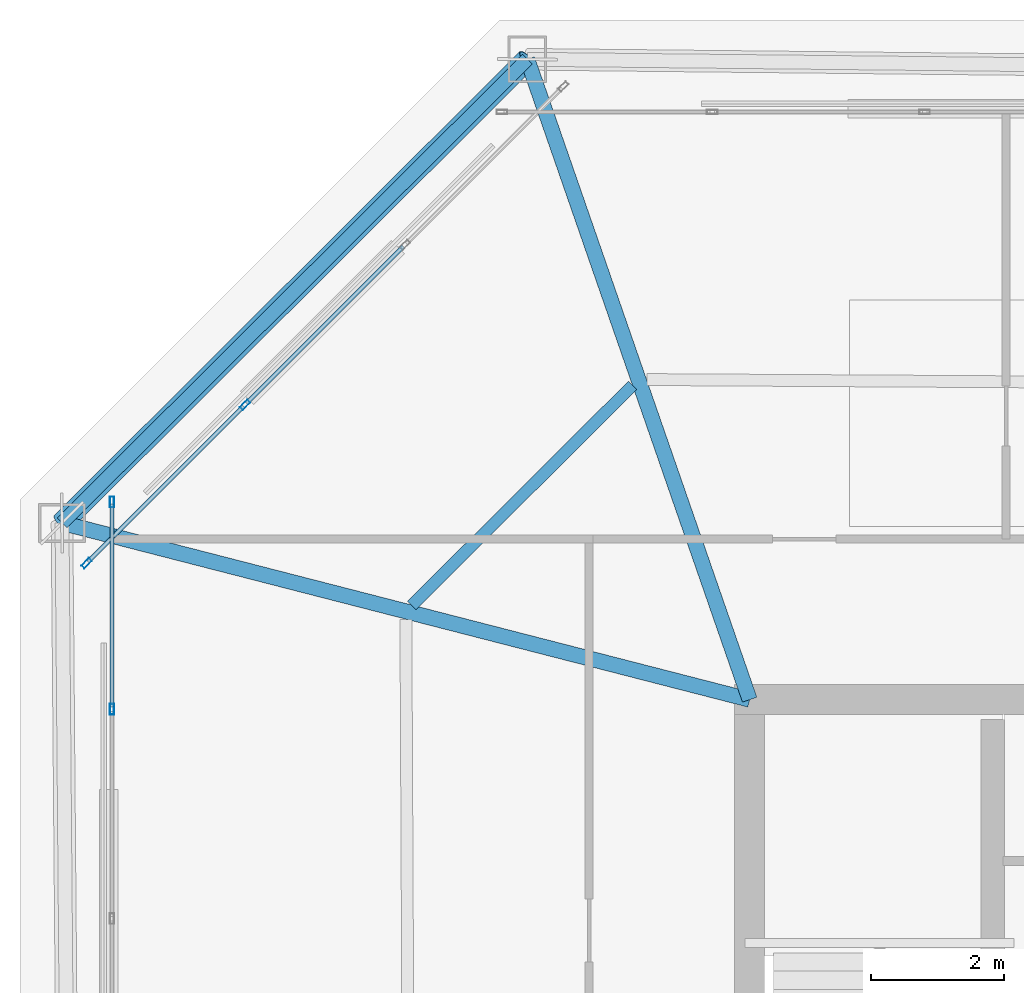
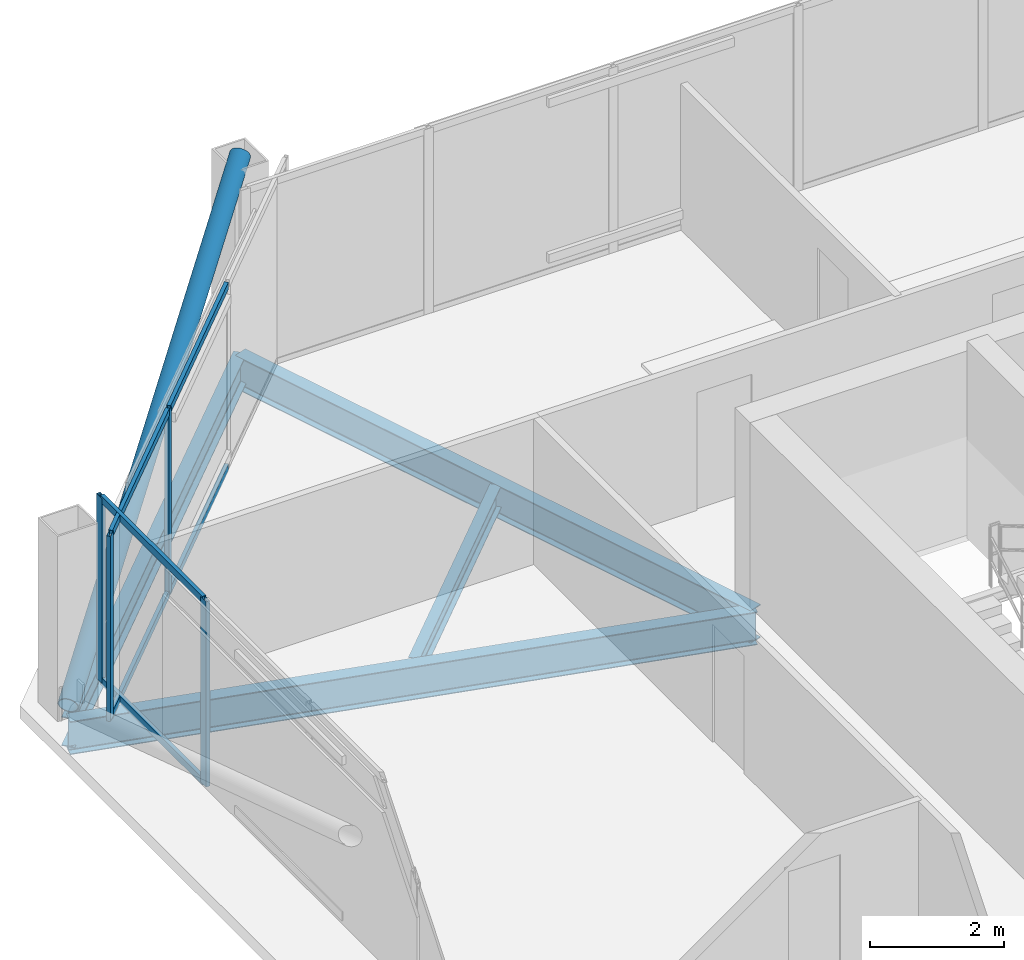
# One storey, part 13 of 26: 11 members, 4 beams, 2 elements without a shape of their own.
"""IFC4 building model written with IfcOpenShell, lengths in metres."""

from ifc_helpers import new_model, si_unit, direction, frame, origin, origin_2d, place, context, subcontext, project, spatial, hollow_rectangle, hollow_circle, i_section, extrude, material, layer, layer_set, material_profile, profile_set, type_object, element, aggregate, save


model = new_model("IFC4")

# Units and contexts
model_context = context("Model", 3, precision=1e-05, world=origin(), true_north=direction((0.0, 1.0)))
body_context = subcontext(model_context, "Body", "Model", "MODEL_VIEW")
ifc_project = project(units=[si_unit("LENGTHUNIT", "METRE"), si_unit("AREAUNIT", "SQUARE_METRE"), si_unit("VOLUMEUNIT", "CUBIC_METRE"), si_unit("PLANEANGLEUNIT", "RADIAN"), si_unit("MASSUNIT", "GRAM", prefix="KILO")], contexts=[model_context])

# Site, building, storey
site_placement = place(None, origin())
site = spatial("IfcSite", under=ifc_project, at=site_placement, CompositionType="ELEMENT")
building_placement = place(site_placement, origin())
building = spatial("IfcBuilding", under=site, at=building_placement, Name="Caelvoria Tower", CompositionType="ELEMENT")
storey_placement = place(building_placement, frame((0.0, 0.0, 239.39990234375)))
storey = spatial("IfcBuildingStorey", under=building, at=storey_placement, Name="L63", CompositionType="ELEMENT", Elevation=239.39990234375)

# Curtain wall, members
ifc_material_1 = material(Name="Anodised Bronze Aluminium and Low-E Glass", Category="aluminium")
ifc_layer = layer(ifc_material_1, 0.175048828125, Name="Anodised Bronze Aluminium and Low-E Glass")
ifc_layer_set = layer_set([ifc_layer], Name="CW System 4 High-Zone Tapered Crystal Facade - Anodised Bronze Aluminium and Low-E Glass")
curtain_wall_type = type_object("IfcCurtainWallType", Name="CW System 4 High-Zone Tapered Crystal Facade", PredefinedType="NOTDEFINED", material=ifc_layer_set)
curtain_wall_1_placement = place(storey_placement, origin())
curtain_wall_1 = element("IfcCurtainWall", 1, at=curtain_wall_1_placement, inside=storey, type_object=curtain_wall_type, Name="CW-04 Curtain Wall L63-E5", PredefinedType="NOTDEFINED")
ifc_material_2 = material(Name="Anodised Bronze Architectural Aluminium", Category="aluminium")
ifc_material_profile_1 = material_profile(ifc_material_2, hollow_rectangle(XDim=0.06494140625, YDim=0.159912109375, WallThickness=0.00390625, at=origin_2d()), Name="Anodised Bronze Architectural Aluminium")
ifc_profile_set_1 = profile_set([ifc_material_profile_1], Name="CW_MULL_65X160 - Anodised Bronze Architectural Aluminium")
member_type_1 = type_object("IfcMemberType", Name="Curtain Wall Mullion 65x160 Bronze Aluminium", PredefinedType="MULLION", material=ifc_profile_set_1)
member_1_placement = place(storey_placement, frame((29.42578125, 44.42431640625, 0.0), z_axis=(0.0, 0.0, 1.0), x_axis=(0.707106781187, -0.707106781187, 0.0)))
member_1 = element("IfcMember", 2, at=member_1_placement, type_object=member_type_1, Name="CW-04 mullion 3", PredefinedType="MULLION", context=body_context, shape_type="SweptSolid", body=[
    extrude(hollow_rectangle(XDim=0.06494140625, YDim=0.159912109375, WallThickness=0.00390625, at=origin_2d()), origin(), (0.0, 0.0, 1.0), 3.375),
])
member_2_placement = place(storey_placement, frame((27.048828125, 42.047119140625, 0.0), z_axis=(0.0, 0.0, 1.0), x_axis=(0.707106781187, -0.707106781187, 0.0)))
member_2 = element("IfcMember", 3, at=member_2_placement, type_object=member_type_1, Name="CW-04 mullion 4", PredefinedType="MULLION", context=body_context, shape_type="SweptSolid", body=[
    extrude(hollow_rectangle(XDim=0.06494140625, YDim=0.159912109375, WallThickness=0.00390625, at=origin_2d()), origin(), (0.0, 0.0, 1.0), 3.375),
])

curtain_wall_2_placement = place(storey_placement, origin())
curtain_wall_2 = element("IfcCurtainWall", 4, at=curtain_wall_2_placement, inside=storey, type_object=curtain_wall_type, Name="CW-04 Curtain Wall L63-E6", PredefinedType="NOTDEFINED")
member_3_placement = place(storey_placement, frame((27.429931640625, 42.967529296875, 0.0), z_axis=(0.0, 0.0, 1.0), x_axis=(1.0, 0.0, 0.0)))
member_3 = element("IfcMember", 5, at=member_3_placement, type_object=member_type_1, Name="CW-04 mullion 1", PredefinedType="MULLION", context=body_context, shape_type="SweptSolid", body=[
    extrude(hollow_rectangle(XDim=0.06494140625, YDim=0.159912109375, WallThickness=0.00390625, at=origin_2d()), origin(), (0.0, 0.0, 1.0), 3.375),
])
member_4_placement = place(storey_placement, frame((27.429931640625, 39.857177734375, 0.0), z_axis=(0.0, 0.0, 1.0), x_axis=(1.0, 0.0, 0.0)))
member_4 = element("IfcMember", 6, at=member_4_placement, type_object=member_type_1, Name="CW-04 mullion 2", PredefinedType="MULLION", context=body_context, shape_type="SweptSolid", body=[
    extrude(hollow_rectangle(XDim=0.06494140625, YDim=0.159912109375, WallThickness=0.00390625, at=origin_2d()), origin(), (0.0, 0.0, 1.0), 3.375),
])

# Member
ifc_material_profile_2 = material_profile(ifc_material_2, hollow_rectangle(XDim=0.06494140625, YDim=0.1298828125, WallThickness=0.00341796875, at=origin_2d()), Name="Anodised Bronze Architectural Aluminium")
ifc_profile_set_2 = profile_set([ifc_material_profile_2], Name="CW_TRAN_65X130 - Anodised Bronze Architectural Aluminium")
member_type_2 = type_object("IfcMemberType", Name="Curtain Wall Transom 65x130 Bronze Aluminium", PredefinedType="USERDEFINED", material=ifc_profile_set_2)
member_5_placement = place(storey_placement, frame((31.802734375, 46.80126953125, 0.03271484375), z_axis=(-0.707106781187, -0.707106781187, 0.0), x_axis=(0.707106781187, -0.707106781187, 0.0)))
member_5 = element("IfcMember", 7, at=member_5_placement, type_object=member_type_2, Name="CW-04 transom 2.1", ObjectType="TRANSOM", PredefinedType="USERDEFINED", context=body_context, shape_type="SweptSolid", body=[
    extrude(hollow_rectangle(XDim=0.06494140625, YDim=0.1298828125, WallThickness=0.00341796875, at=origin_2d()), origin(), (0.0, 0.0, 1.0), 3.3291015625),
])

member_6_placement = place(storey_placement, frame((31.802734375, 46.80126953125, 3.342529296875), z_axis=(-0.707106781187, -0.707106781187, 0.0), x_axis=(0.707106781187, -0.707106781187, 0.0)))
member_6 = element("IfcMember", 8, at=member_6_placement, type_object=member_type_2, Name="CW-04 transom 2.2", ObjectType="TRANSOM", PredefinedType="USERDEFINED", context=body_context, shape_type="SweptSolid", body=[
    extrude(hollow_rectangle(XDim=0.06494140625, YDim=0.1298828125, WallThickness=0.00341796875, at=origin_2d()), origin(), (0.0, 0.0, 1.0), 3.3291015625),
])

member_7_placement = place(storey_placement, frame((29.40283203125, 44.401123046875, 0.03271484375), z_axis=(-0.707106781187, -0.707106781187, 0.0), x_axis=(0.707106781187, -0.707106781187, 0.0)))
member_7 = element("IfcMember", 9, at=member_7_placement, type_object=member_type_2, Name="CW-04 transom 3.1", ObjectType="TRANSOM", PredefinedType="USERDEFINED", context=body_context, shape_type="SweptSolid", body=[
    extrude(hollow_rectangle(XDim=0.06494140625, YDim=0.1298828125, WallThickness=0.00341796875, at=origin_2d()), origin(), (0.0, 0.0, 1.0), 3.296630859375),
])

member_8_placement = place(storey_placement, frame((29.40283203125, 44.401123046875, 3.342529296875), z_axis=(-0.707106781187, -0.707106781187, 0.0), x_axis=(0.707106781187, -0.707106781187, 0.0)))
member_8 = element("IfcMember", 10, at=member_8_placement, type_object=member_type_2, Name="CW-04 transom 3.2", ObjectType="TRANSOM", PredefinedType="USERDEFINED", context=body_context, shape_type="SweptSolid", body=[
    extrude(hollow_rectangle(XDim=0.06494140625, YDim=0.1298828125, WallThickness=0.00341796875, at=origin_2d()), origin(), (0.0, 0.0, 1.0), 3.296630859375),
])

aggregate(curtain_wall_1, [member_1, member_2, member_5, member_6, member_7, member_8])

member_9_placement = place(storey_placement, frame((27.429931640625, 42.93505859375, 0.03271484375), z_axis=(0.0, -1.0, 0.0), x_axis=(1.0, 0.0, 0.0)))
member_9 = element("IfcMember", 11, at=member_9_placement, type_object=member_type_2, Name="CW-04 transom 1.1", ObjectType="TRANSOM", PredefinedType="USERDEFINED", context=body_context, shape_type="SweptSolid", body=[
    extrude(hollow_rectangle(XDim=0.06494140625, YDim=0.1298828125, WallThickness=0.00341796875, at=origin_2d()), origin(), (0.0, 0.0, 1.0), 3.04541015625),
])

member_10_placement = place(storey_placement, frame((27.429931640625, 42.93505859375, 3.342529296875), z_axis=(0.0, -1.0, 0.0), x_axis=(1.0, 0.0, 0.0)))
member_10 = element("IfcMember", 12, at=member_10_placement, type_object=member_type_2, Name="CW-04 transom 1.2", ObjectType="TRANSOM", PredefinedType="USERDEFINED", context=body_context, shape_type="SweptSolid", body=[
    extrude(hollow_rectangle(XDim=0.06494140625, YDim=0.1298828125, WallThickness=0.00341796875, at=origin_2d()), origin(), (0.0, 0.0, 1.0), 3.04541015625),
])

aggregate(curtain_wall_2, [member_3, member_4, member_9, member_10])

# Beams
ifc_material_3 = material(Name="Structural Steel ASTM A992 Gr.50", Category="steel")
ifc_material_profile_3 = material_profile(ifc_material_3, i_section(OverallWidth=0.22802734375, OverallDepth=0.60302734375, WebThickness=0.010498046875, FlangeThickness=0.014892578125, FilletRadius=0.01806640625, at=origin_2d()), Name="Structural Steel ASTM A992 Gr.50")
ifc_profile_set_3 = profile_set([ifc_material_profile_3], Name="W610X101 - Structural Steel ASTM A992 Gr.50")
beam_type_1 = type_object("IfcBeamType", Name="Primary Floor Girder W610X101", PredefinedType="BEAM", material=ifc_profile_set_3)
beam_1_placement = place(storey_placement, frame((37.0, 40.0, -0.5263671875), z_axis=(-0.32801049917, 0.944674077359, 0.0), x_axis=(-0.944674077359, -0.32801049917, 0.0)))
element("IfcBeam", 13, at=beam_1_placement, inside=storey, type_object=beam_type_1, Name="Primary Floor Girder L63-08", PredefinedType="BEAM", context=body_context, shape_type="SweptSolid", body=[
    extrude(i_section(OverallWidth=0.22802734375, OverallDepth=0.60302734375, WebThickness=0.010498046875, FlangeThickness=0.014892578125, FilletRadius=0.01806640625, at=origin_2d()), origin(), (0.0, 0.0, 1.0), 10.173095703125),
])
beam_2_placement = place(storey_placement, frame((37.0, 40.0, -0.5263671875), z_axis=(-0.968521506415, 0.248929892964, 0.0), x_axis=(-0.248929892964, -0.968521506415, 0.0)))
element("IfcBeam", 14, at=beam_2_placement, inside=storey, type_object=beam_type_1, Name="Primary Floor Girder L63-09", PredefinedType="BEAM", context=body_context, shape_type="SweptSolid", body=[
    extrude(i_section(OverallWidth=0.22802734375, OverallDepth=0.60302734375, WebThickness=0.010498046875, FlangeThickness=0.014892578125, FilletRadius=0.01806640625, at=origin_2d()), origin(), (0.0, 0.0, 1.0), 10.655029296875),
])
ifc_material_profile_4 = material_profile(ifc_material_3, i_section(OverallWidth=0.177978515625, OverallDepth=0.406982421875, WebThickness=0.0078125, FlangeThickness=0.0126953125, FilletRadius=0.013916015625, at=origin_2d()), Name="Structural Steel ASTM A992 Gr.50")
ifc_profile_set_4 = profile_set([ifc_material_profile_4], Name="W410X60 - Structural Steel ASTM A992 Gr.50")
beam_type_2 = type_object("IfcBeamType", Name="Secondary Floor Beam W410X60", PredefinedType="BEAM", material=ifc_profile_set_4)
beam_3_placement = place(storey_placement, frame((35.2431640625, 44.716796875, -0.428466796875), z_axis=(-0.708384014524, -0.705827236628, 0.0), x_axis=(0.705827236628, -0.708384014524, 0.0)))
element("IfcBeam", 15, at=beam_3_placement, inside=storey, type_object=beam_type_2, Name="Secondary Floor Beam L63-08", PredefinedType="BEAM", context=body_context, shape_type="SweptSolid", body=[
    extrude(i_section(OverallWidth=0.177978515625, OverallDepth=0.406982421875, WebThickness=0.0078125, FlangeThickness=0.0126953125, FilletRadius=0.013916015625, at=origin_2d()), origin(), (0.0, 0.0, 1.0), 4.678955078125),
])

# Member
ifc_material_4 = material(Name="Structural Steel ASTM A572 Gr.50", Category="steel")
ifc_material_profile_5 = material_profile(ifc_material_4, hollow_circle(Radius=0.162109375, WallThickness=0.0126953125, at=origin_2d()), Name="Structural Steel ASTM A572 Gr.50")
ifc_profile_set_5 = profile_set([ifc_material_profile_5], Name="CHS324X12.7 - Structural Steel ASTM A572 Gr.50")
member_type_3 = type_object("IfcMemberType", Name="Summit Perimeter Mega Brace CHS324X12.7", PredefinedType="BRACE", material=ifc_profile_set_5)
member_11_placement = place(storey_placement, frame((26.680419921875, 42.65234375, 0.0), z_axis=(0.670165562834, 0.667798976986, 0.323917651153), x_axis=(-0.705854949612, 0.708356400486, 0.0)))
element("IfcMember", 16, at=member_11_placement, inside=storey, type_object=member_type_3, Name="Perimeter Chamfer Mega Brace L63 NW", PredefinedType="BRACE", context=body_context, shape_type="SweptSolid", body=[
    extrude(hollow_circle(Radius=0.162109375, WallThickness=0.0126953125, at=origin_2d()), origin(), (0.0, 0.0, 1.0), 10.41943359375),
])

# Beam
ifc_material_profile_6 = material_profile(ifc_material_3, i_section(OverallWidth=0.208984375, OverallDepth=0.532958984375, WebThickness=0.01025390625, FlangeThickness=0.015625, FilletRadius=0.01611328125, at=origin_2d()), Name="Structural Steel ASTM A992 Gr.50")
ifc_profile_set_6 = profile_set([ifc_material_profile_6], Name="W530X92 - Structural Steel ASTM A992 Gr.50")
beam_type_3 = type_object("IfcBeamType", Name="Upper Zone Spandrel W530X92", PredefinedType="BEAM", material=ifc_profile_set_6)
beam_4_placement = place(storey_placement, frame((33.6630859375, 49.6103515625, -0.491455078125), z_axis=(-0.708356400486, -0.705854949612, 0.0), x_axis=(0.705854949612, -0.708356400486, 0.0)))
element("IfcBeam", 17, at=beam_4_placement, inside=storey, type_object=beam_type_3, Name="Perimeter Spandrel Girder L63-08", PredefinedType="BEAM", context=body_context, shape_type="SweptSolid", body=[
    extrude(i_section(OverallWidth=0.208984375, OverallDepth=0.532958984375, WebThickness=0.01025390625, FlangeThickness=0.015625, FilletRadius=0.01611328125, at=origin_2d()), origin(), (0.0, 0.0, 1.0), 9.857666015625),
])

save(model, "model.ifc")
